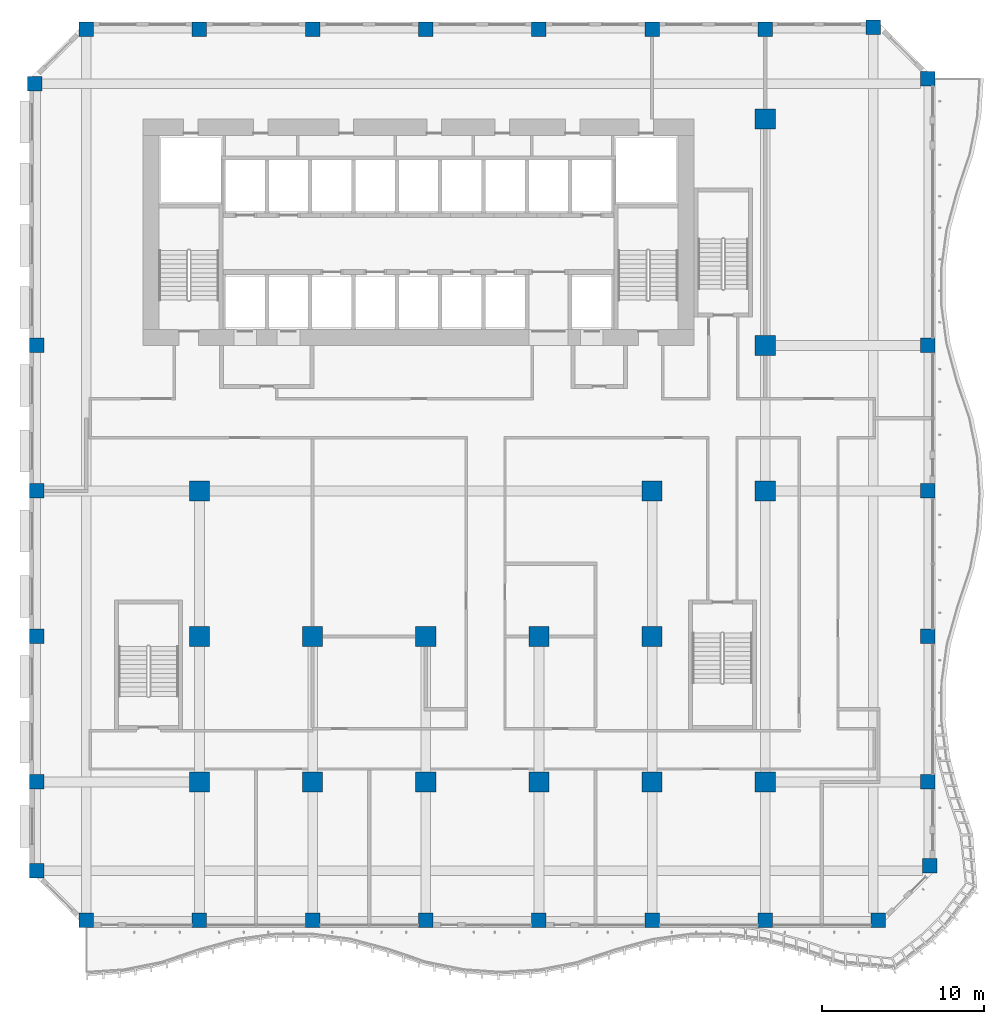
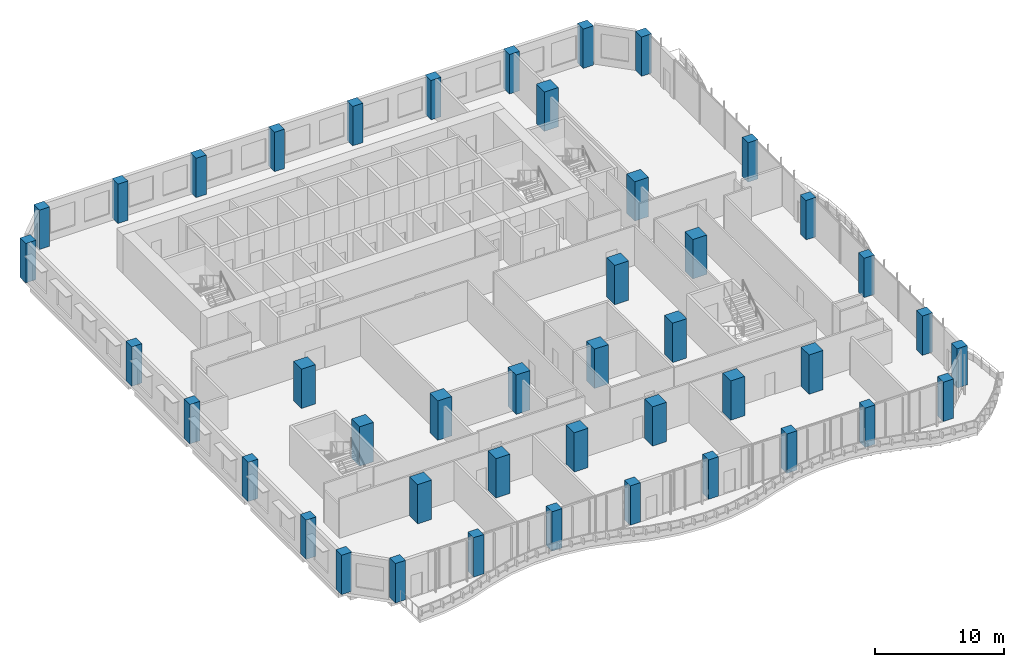
# One storey, part 1 of 26: 44 columns.
"""IFC4 building model written with IfcOpenShell, lengths in metres."""

from ifc_helpers import new_model, si_unit, direction, frame, origin, origin_2d, place, context, subcontext, project, spatial, rectangle, extrude, source, transform, mapped, material, material_profile, profile_set, type_object, element, save


model = new_model("IFC4")

# Units and contexts
model_context = context("Model", 3, precision=1e-05, world=origin(), true_north=direction((0.0, 1.0)))
body_context = subcontext(model_context, "Body", "Model", "MODEL_VIEW")
ifc_project = project(units=[si_unit("LENGTHUNIT", "METRE"), si_unit("AREAUNIT", "SQUARE_METRE"), si_unit("VOLUMEUNIT", "CUBIC_METRE"), si_unit("PLANEANGLEUNIT", "RADIAN"), si_unit("MASSUNIT", "GRAM", prefix="KILO")], contexts=[model_context])

# Site, building, storey
site_placement = place(None, origin())
site = spatial("IfcSite", under=ifc_project, at=site_placement, CompositionType="ELEMENT")
building_placement = place(site_placement, origin())
building = spatial("IfcBuilding", under=site, at=building_placement, Name="Kilnfold Tower and Market Hall", CompositionType="ELEMENT")
storey_placement = place(building_placement, frame((0.0, 0.0, 83.199951171875)))
storey = spatial("IfcBuildingStorey", under=building, at=storey_placement, Name="L19", CompositionType="ELEMENT", Elevation=83.199951171875)

# Columns
ifc_material_1 = material(Name="Concrete C80", Category="concrete")
ifc_material_profile_1 = material_profile(ifc_material_1, rectangle(XDim=0.89990234375, YDim=0.89990234375, at=origin_2d()), Name="RC 900x900")
ifc_profile_set_1 = profile_set([ifc_material_profile_1], Name="Concrete C80")
column_type_1 = type_object("IfcColumnType", Name="COLUMN 900X900 C80", PredefinedType="COLUMN", material=ifc_profile_set_1)
shared_shape_1 = source(origin(), body_context, "Body", "SweptSolid", [
    extrude(rectangle(XDim=0.89990234375, YDim=0.89990234375, at=origin_2d()), origin(), (0.0, 0.0, 1.0), 3.719970703125),
])
for number, where, z_axis, x_axis, name in (
    (1, (-22.681884765625, 24.181884765625, 0.0), (0.0, 0.0, 1.0), (1.0, 0.0, 0.0), "Column C-B2-1H"),
    (2, (-22.550048828125, -24.5, 0.0), (0.0, 0.0, 1.0), (1.0, 0.0, 0.0), "Column C-B2-1B"),
    (3, (-22.550048828125, -19.0, 0.0), (0.0, 0.0, 1.0), (1.0, 0.0, 0.0), "Column C-B2-1C"),
    (4, (-22.550048828125, -10.0, 0.0), (0.0, 0.0, 1.0), (1.0, 0.0, 0.0), "Column C-B2-1D"),
    (5, (-22.550048828125, -1.0, 0.0), (0.0, 0.0, 1.0), (1.0, 0.0, 0.0), "Column C-B2-1E"),
    (6, (-22.550048828125, 8.0, 0.0), (0.0, 0.0, 1.0), (1.0, 0.0, 0.0), "Column C-B2-1F"),
    (7, (-19.5, -27.550048828125, 0.0), (0.0, 0.0, 1.0), (1.0, 0.0, 0.0), "Column C-B2-2A"),
    (8, (-19.5, 27.550048828125, 0.0), (0.0, 0.0, 1.0), (1.0, 0.0, 0.0), "Column C-B2-2I"),
    (9, (-12.5, -27.550048828125, 0.0), (0.0, 0.0, 1.0), (1.0, 0.0, 0.0), "Column C-B2-3A"),
    (10, (-12.5, 27.550048828125, 0.0), (0.0, 0.0, 1.0), (1.0, 0.0, 0.0), "Column C-B2-3I"),
    (11, (-5.5, -27.550048828125, 0.0), (0.0, 0.0, 1.0), (1.0, 0.0, 0.0), "Column C-B2-4A"),
    (12, (-5.5, 27.550048828125, 0.0), (0.0, 0.0, 1.0), (1.0, 0.0, 0.0), "Column C-B2-4I"),
    (13, (1.5, -27.550048828125, 0.0), (0.0, 0.0, 1.0), (1.0, 0.0, 0.0), "Column C-B2-5A"),
    (14, (1.5, 27.550048828125, 0.0), (0.0, 0.0, 1.0), (1.0, 0.0, 0.0), "Column C-B2-5I"),
    (15, (8.5, -27.550048828125, 0.0), (0.0, 0.0, 1.0), (1.0, 0.0, 0.0), "Column C-B2-6A"),
    (16, (8.5, 27.550048828125, 0.0), (0.0, 0.0, 1.0), (1.0, 0.0, 0.0), "Column C-B2-6I"),
    (17, (15.5, -27.550048828125, 0.0), (0.0, 0.0, 1.0), (1.0, 0.0, 0.0), "Column C-B2-7A"),
    (18, (15.5, 27.550048828125, 0.0), (0.0, 0.0, 1.0), (1.0, 0.0, 0.0), "Column C-B2-7I"),
    (19, (22.5, -27.550048828125, 0.0), (0.0, 0.0, 1.0), (1.0, 0.0, 0.0), "Column C-B2-8A"),
    (20, (22.5, 27.550048828125, 0.0), (0.0, 0.0, 1.0), (1.0, 0.0, 0.0), "Column C-B2-8I"),
    (21, (29.181884765625, 27.681884765625, 0.0), (0.0, 0.0, 1.0), (1.0, 0.0, 0.0), "Column C-B2-9I"),
    (22, (29.5, -27.550048828125, 0.0), (0.0, 0.0, 1.0), (1.0, 0.0, 0.0), "Column C-B2-9A"),
    (23, (32.550048828125, -19.0, 0.0), (0.0, 0.0, 1.0), (1.0, 0.0, 0.0), "Column C-B2-10C"),
    (24, (32.550048828125, -10.0, 0.0), (0.0, 0.0, 1.0), (1.0, 0.0, 0.0), "Column C-B2-10D"),
    (25, (32.550048828125, -1.0, 0.0), (0.0, 0.0, 1.0), (1.0, 0.0, 0.0), "Column C-B2-10E"),
    (26, (32.550048828125, 8.0, 0.0), (0.0, 0.0, 1.0), (1.0, 0.0, 0.0), "Column C-B2-10F"),
    (27, (32.550048828125, 24.5, 0.0), (0.0, 0.0, 1.0), (1.0, 0.0, 0.0), "Column C-B2-10H"),
    (28, (32.681884765625, -24.181884765625, 0.0), (0.0, 0.0, 1.0), (1.0, 0.0, 0.0), "Column C-B2-10B"),
):
    element("IfcColumn", number, at=place(storey_placement, frame(where, z_axis=z_axis, x_axis=x_axis)), inside=storey, type_object=column_type_1, Name=name, PredefinedType="COLUMN", context=body_context, shape_type="MappedRepresentation", body=[
        mapped(shared_shape_1, transform((0.0, 0.0, 0.0))),
    ])
ifc_material_2 = material(Name="Concrete C80", Category="concrete")
ifc_material_profile_2 = material_profile(ifc_material_2, rectangle(XDim=1.25, YDim=1.25, at=origin_2d()), Name="RC 1250x1250")
ifc_profile_set_2 = profile_set([ifc_material_profile_2], Name="Concrete C80")
column_type_2 = type_object("IfcColumnType", Name="COLUMN 1250X1250 C80", PredefinedType="COLUMN", material=ifc_profile_set_2)
shared_shape_2 = source(origin(), body_context, "Body", "SweptSolid", [
    extrude(rectangle(XDim=1.25, YDim=1.25, at=origin_2d()), origin(), (0.0, 0.0, 1.0), 3.719970703125),
])
for number, where, z_axis, x_axis, name in (
    (29, (-12.5, -19.0, 0.0), (0.0, 0.0, 1.0), (1.0, 0.0, 0.0), "Column C-B2-3C"),
    (30, (-12.5, -10.0, 0.0), (0.0, 0.0, 1.0), (1.0, 0.0, 0.0), "Column C-B2-3D"),
    (31, (-12.5, -1.0, 0.0), (0.0, 0.0, 1.0), (1.0, 0.0, 0.0), "Column C-B2-3E"),
    (32, (-5.5, -19.0, 0.0), (0.0, 0.0, 1.0), (1.0, 0.0, 0.0), "Column C-B2-4C"),
    (33, (-5.5, -10.0, 0.0), (0.0, 0.0, 1.0), (1.0, 0.0, 0.0), "Column C-B2-4D"),
    (34, (1.5, -19.0, 0.0), (0.0, 0.0, 1.0), (1.0, 0.0, 0.0), "Column C-B2-5C"),
    (35, (1.5, -10.0, 0.0), (0.0, 0.0, 1.0), (1.0, 0.0, 0.0), "Column C-B2-5D"),
    (36, (8.5, -19.0, 0.0), (0.0, 0.0, 1.0), (1.0, 0.0, 0.0), "Column C-B2-6C"),
    (37, (8.5, -10.0, 0.0), (0.0, 0.0, 1.0), (1.0, 0.0, 0.0), "Column C-B2-6D"),
    (38, (15.5, -19.0, 0.0), (0.0, 0.0, 1.0), (1.0, 0.0, 0.0), "Column C-B2-7C"),
    (39, (15.5, -10.0, 0.0), (0.0, 0.0, 1.0), (1.0, 0.0, 0.0), "Column C-B2-7D"),
    (40, (15.5, -1.0, 0.0), (0.0, 0.0, 1.0), (1.0, 0.0, 0.0), "Column C-B2-7E"),
    (41, (22.5, -19.0, 0.0), (0.0, 0.0, 1.0), (1.0, 0.0, 0.0), "Column C-B2-8C"),
    (42, (22.5, -1.0, 0.0), (0.0, 0.0, 1.0), (1.0, 0.0, 0.0), "Column C-B2-8E"),
    (43, (22.5, 8.0, 0.0), (0.0, 0.0, 1.0), (1.0, 0.0, 0.0), "Column C-B2-8F"),
    (44, (22.5, 22.0, 0.0), (0.0, 0.0, 1.0), (1.0, 0.0, 0.0), "Column C-B2-8G"),
):
    element("IfcColumn", number, at=place(storey_placement, frame(where, z_axis=z_axis, x_axis=x_axis)), inside=storey, type_object=column_type_2, Name=name, PredefinedType="COLUMN", context=body_context, shape_type="MappedRepresentation", body=[
        mapped(shared_shape_2, transform((0.0, 0.0, 0.0))),
    ])

save(model, "model.ifc")
